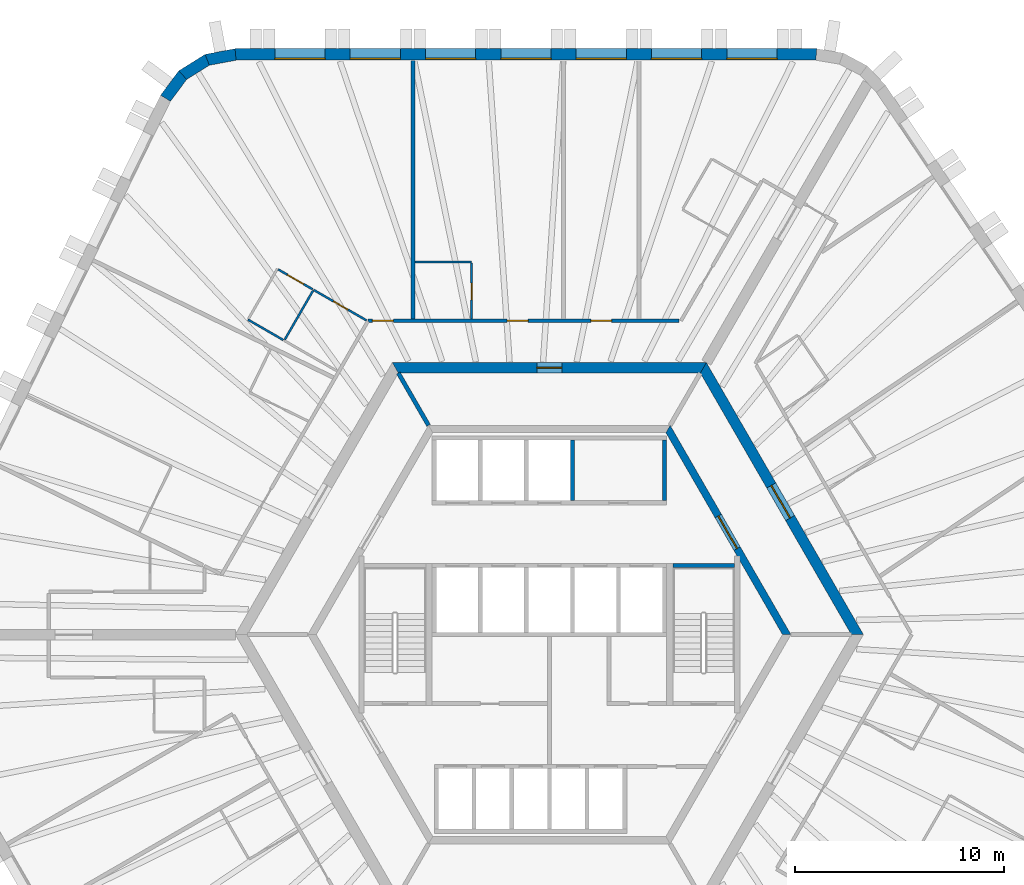
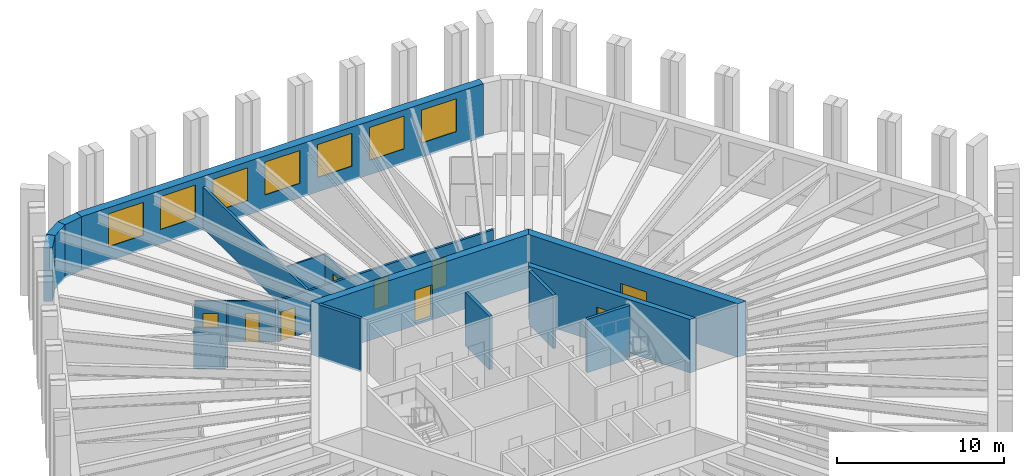
# One storey, part 8 of 11: 19 walls, 9 doors, 7 windows, 16 openings.
"""IFC4 building model written with IfcOpenShell, lengths in metres."""

from ifc_helpers import new_model, si_unit, direction, frame, frame_2d, origin, place, context, subcontext, project, spatial, polyline, rectangle, outline, extrude, material, layer, layer_set, type_object, element, fill, save


model = new_model("IFC4")

# Units and contexts
model_context = context("Model", 3, precision=1e-05, world=origin(), true_north=direction((0.0, 1.0)))
body_context = subcontext(model_context, "Body", "Model", "MODEL_VIEW")
ifc_project = project(units=[si_unit("LENGTHUNIT", "METRE"), si_unit("AREAUNIT", "SQUARE_METRE"), si_unit("VOLUMEUNIT", "CUBIC_METRE"), si_unit("PLANEANGLEUNIT", "RADIAN"), si_unit("MASSUNIT", "GRAM", prefix="KILO")], contexts=[model_context])

# Site, building, storey
site_placement = place(None, origin())
site = spatial("IfcSite", under=ifc_project, at=site_placement, CompositionType="ELEMENT")
building_placement = place(site_placement, origin())
building = spatial("IfcBuilding", under=site, at=building_placement, Name="Tarnside Tower", CompositionType="ELEMENT")
storey_placement = place(building_placement, frame((0.0, 0.0, 207.300048828125)))
storey = spatial("IfcBuildingStorey", under=building, at=storey_placement, Name="L49", CompositionType="ELEMENT", Elevation=207.300048828125)

# Wall
ifc_material_1 = material(Name="Gypsum board partition on steel studs", Category="steel")
ifc_layer_1 = layer(ifc_material_1, 0.10009765625)
ifc_layer_set_1 = layer_set([ifc_layer_1], Name="Bathroom wall 100")
wall_type_1 = type_object("IfcWallType", Name="Bathroom wall 100", PredefinedType="PARTITIONING", material=ifc_layer_set_1)
wall_1_placement = place(storey_placement, frame((-6.427978515625, 17.800048828125, 0.0), z_axis=(0.0, 0.0, 1.0), x_axis=(1.0, 0.0, 0.0)))
element("IfcWall", 1, at=wall_1_placement, inside=storey, type_object=wall_type_1, Name="Bathroom wall 16056", PredefinedType="PARTITIONING", context=body_context, shape_type="SweptSolid", body=[
    extrude(rectangle(XDim=2.710205078125, YDim=0.10009765625, at=frame_2d((1.35498046875, 0.0))), origin(), (0.0, 0.0, 1.0), 2.98779296875),
])

# Wall, opening, door
wall_2_placement = place(storey_placement, frame((-3.7177734375, 17.75, 0.0), z_axis=(0.0, 0.0, 1.0), x_axis=(0.0, -1.0, 0.0)))
wall_2 = element("IfcWall", 2, at=wall_2_placement, inside=storey, type_object=wall_type_1, Name="Bathroom wall 16057", PredefinedType="PARTITIONING", context=body_context, shape_type="SweptSolid", body=[
    extrude(rectangle(XDim=2.675048828125, YDim=0.10009765625, at=frame_2d((1.33740234375, 0.0))), origin(), (0.0, 0.0, 1.0), 2.98779296875),
])
opening_1_placement = place(wall_2_placement, frame((0.949951171875, 0.0, 0.0)))
opening_1 = element("IfcOpeningElement", 3, at=opening_1_placement, cuts=wall_2, Name="Opening D-B1", PredefinedType="OPENING", context=body_context, shape_type="SweptSolid", body=[
    extrude(rectangle(XDim=0.800048828125, YDim=2.10009765625, at=frame_2d((0.39990234375, 1.050048828125))), frame((0.0, 0.06005859375, 0.0), z_axis=(0.0, -1.0, 0.0), x_axis=(1.0, 0.0, 0.0)), (0.0, 0.0, 1.0), 0.1201171875),
])
ifc_material_2 = material(Name="Timber door leaf", Category="wood")
door_type_1 = type_object("IfcDoorType", Name="Bathroom door 800", OperationType="NOTDEFINED", PredefinedType="DOOR", material=ifc_material_2)
door_1_placement = place(opening_1_placement, origin())
door_1 = element("IfcDoor", 4, at=door_1_placement, inside=storey, type_object=door_type_1, Name="Bathroom door 16005", OperationType="SINGLE_SWING_LEFT", OverallHeight=2.10009765625, OverallWidth=0.800048828125, PredefinedType="DOOR", context=body_context, shape_type="SweptSolid", body=[
    extrude(rectangle(XDim=0.800048828125, YDim=2.10009765625, at=frame_2d((0.39990234375, 1.050048828125))), frame((0.0, 0.02490234375, 0.0), z_axis=(0.0, -1.0, 0.0), x_axis=(1.0, 0.0, 0.0)), (0.0, 0.0, 1.0), 0.050048828125),
])
fill(opening_1, door_1)

wall_3_placement = place(storey_placement, frame((-11.27099609375, 16.47802734375, 0.0), z_axis=(0.0, 0.0, 1.0), x_axis=(0.866046596414, -0.499963291492, 0.0)))
wall_3 = element("IfcWall", 5, at=wall_3_placement, inside=storey, type_object=wall_type_1, Name="Bathroom wall 16061", PredefinedType="PARTITIONING", context=body_context, shape_type="SweptSolid", body=[
    extrude(rectangle(XDim=2.925048828125, YDim=0.10009765625, at=frame_2d((1.46240234375, 0.0))), origin(), (0.0, 0.0, 1.0), 2.98779296875),
])
opening_2_placement = place(wall_3_placement, frame((1.10009765625, 0.0, 0.0)))
opening_2 = element("IfcOpeningElement", 6, at=opening_2_placement, cuts=wall_3, Name="Opening D-B1", PredefinedType="OPENING", context=body_context, shape_type="SweptSolid", body=[
    extrude(rectangle(XDim=0.800048828125, YDim=2.10009765625, at=frame_2d((0.39990234375, 1.050048828125))), frame((0.0, 0.06005859375, 0.0), z_axis=(0.0, -1.0, 0.0), x_axis=(1.0, 0.0, 0.0)), (0.0, 0.0, 1.0), 0.1201171875),
])
door_2_placement = place(opening_2_placement, origin())
door_2 = element("IfcDoor", 7, at=door_2_placement, inside=storey, type_object=door_type_1, Name="Bathroom door 16007", OperationType="SINGLE_SWING_LEFT", OverallHeight=2.10009765625, OverallWidth=0.800048828125, PredefinedType="DOOR", context=body_context, shape_type="SweptSolid", body=[
    extrude(rectangle(XDim=0.800048828125, YDim=2.10009765625, at=frame_2d((0.39990234375, 1.050048828125))), frame((0.0, 0.02490234375, 0.0), z_axis=(0.0, -1.0, 0.0), x_axis=(1.0, 0.0, 0.0)), (0.0, 0.0, 1.0), 0.050048828125),
])
fill(opening_2, door_2)

# Wall
wall_4_placement = place(storey_placement, frame((-11.2958984375, 16.434814453125, 0.0), z_axis=(0.0, 0.0, 1.0), x_axis=(-0.50000943426, -0.866019956843, 0.0)))
element("IfcWall", 8, at=wall_4_placement, inside=storey, type_object=wall_type_1, Name="Bathroom wall 16067", PredefinedType="PARTITIONING", context=body_context, shape_type="SweptSolid", body=[
    extrude(rectangle(XDim=2.7001953125, YDim=0.10009765625, at=frame_2d((1.35009765625, 0.0))), origin(), (0.0, 0.0, 1.0), 2.98779296875),
])

# Wall, opening, door
ifc_material_3 = material(Name="Concrete C50/60", Category="concrete")
ifc_layer_2 = layer(ifc_material_3, 0.35009765625)
ifc_layer_set_2 = layer_set([ifc_layer_2], Name="Core block wall 350 C50/60")
wall_type_2 = type_object("IfcWallType", Name="Core block wall 350 C50/60", PredefinedType="SHEAR", material=ifc_layer_set_2)
wall_5_placement = place(storey_placement, frame((11.344970703125, 0.0, -0.150146484375), z_axis=(0.0, 0.0, 1.0), x_axis=(-0.499995046907, 0.866028263435, 0.0)))
wall_5 = element("IfcWall", 9, at=wall_5_placement, inside=storey, type_object=wall_type_2, Name="L49 core block wall face 6", PredefinedType="SHEAR", context=body_context, shape_type="SweptSolid", body=[
    extrude(outline(polyline([(-0.10107421875, -0.175048828125), (11.44580078125, -0.175048828125), (11.24365234375, 0.175048828125), (0.10107421875, 0.175048828125), (-0.10107421875, -0.175048828125)])), origin(), (0.0, 0.0, 1.0), 3.900146484375),
])
opening_3_placement = place(wall_5_placement, frame((4.74365234375, 0.0, 0.14990234375)))
opening_3 = element("IfcOpeningElement", 10, at=opening_3_placement, cuts=wall_5, Name="Opening CD-LOB", PredefinedType="OPENING", context=body_context, shape_type="SweptSolid", body=[
    extrude(rectangle(XDim=1.800048828125, YDim=2.39990234375, at=frame_2d((0.89990234375, 1.199951171875))), frame((0.0, 0.18505859375, 0.0), z_axis=(0.0, -1.0, 0.0), x_axis=(1.0, 0.0, 0.0)), (0.0, 0.0, 1.0), 0.3701171875),
])
ifc_material_4 = material(Name="Steel fire door", Category="steel")
door_type_2 = type_object("IfcDoorType", Name="Lobby double door FD30S 1800x2400", OperationType="NOTDEFINED", PredefinedType="DOOR", material=ifc_material_4)
door_3_placement = place(opening_3_placement, origin())
door_3 = element("IfcDoor", 11, at=door_3_placement, inside=storey, type_object=door_type_2, Name="L49 lobby block door P2", OperationType="DOUBLE_DOOR_SINGLE_SWING", OverallHeight=2.39990234375, OverallWidth=1.800048828125, PredefinedType="DOOR", context=body_context, shape_type="SweptSolid", body=[
    extrude(rectangle(XDim=1.800048828125, YDim=2.39990234375, at=frame_2d((0.89990234375, 1.199951171875))), frame((0.0, 0.02490234375, 0.0), z_axis=(0.0, -1.0, 0.0), x_axis=(1.0, 0.0, 0.0)), (0.0, 0.0, 1.0), 0.050048828125),
])
fill(opening_3, door_3)

ifc_material_5 = material(Name="Concrete C70/85", Category="concrete")
ifc_layer_3 = layer(ifc_material_5, 0.5)
ifc_layer_set_3 = layer_set([ifc_layer_3], Name="Core wall Z2 500 C70/85")
wall_type_3 = type_object("IfcWallType", Name="Core wall Z2 500 C70/85", PredefinedType="SHEAR", material=ifc_layer_set_3)
wall_6_placement = place(storey_placement, frame((14.722412109375, 0.0, -0.150146484375), z_axis=(0.0, 0.0, 1.0), x_axis=(-0.50000571537, 0.866022103989, 0.0)))
wall_6 = element("IfcWall", 12, at=wall_6_placement, inside=storey, type_object=wall_type_3, Name="L49 core wall face 6", PredefinedType="SHEAR", context=body_context, shape_type="SweptSolid", body=[
    extrude(outline(polyline([(-0.144287109375, -0.25), (14.86669921875, -0.25), (14.578125, 0.25), (0.144287109375, 0.25), (-0.144287109375, -0.25)])), origin(), (0.0, 0.0, 1.0), 3.900146484375),
])
opening_4_placement = place(wall_6_placement, frame((6.432373046875, 0.0, 0.14990234375)))
opening_4 = element("IfcOpeningElement", 13, at=opening_4_placement, cuts=wall_6, Name="Opening CD-LOB", PredefinedType="OPENING", context=body_context, shape_type="SweptSolid", body=[
    extrude(rectangle(XDim=1.800048828125, YDim=2.39990234375, at=frame_2d((0.89990234375, 1.199951171875))), frame((0.0, 0.260009765625, 0.0), z_axis=(0.0, -1.0, 0.0), x_axis=(1.0, 0.0, 0.0)), (0.0, 0.0, 1.0), 0.52001953125),
])
door_4_placement = place(opening_4_placement, origin())
door_4 = element("IfcDoor", 14, at=door_4_placement, inside=storey, type_object=door_type_2, Name="L49 core door P2", OperationType="DOUBLE_DOOR_SINGLE_SWING", OverallHeight=2.39990234375, OverallWidth=1.800048828125, PredefinedType="DOOR", context=body_context, shape_type="SweptSolid", body=[
    extrude(rectangle(XDim=1.800048828125, YDim=2.39990234375, at=frame_2d((0.89990234375, 1.199951171875))), frame((0.0, 0.02490234375, 0.0), z_axis=(0.0, -1.0, 0.0), x_axis=(1.0, 0.0, 0.0)), (0.0, 0.0, 1.0), 0.050048828125),
])
fill(opening_4, door_4)

wall_7_placement = place(storey_placement, frame((7.361083984375, 12.75, -0.150146484375), z_axis=(0.0, 0.0, 1.0), x_axis=(-1.0, 0.0, 0.0)))
wall_7 = element("IfcWall", 15, at=wall_7_placement, inside=storey, type_object=wall_type_3, Name="L49 core wall face 1", PredefinedType="SHEAR", context=body_context, shape_type="SweptSolid", body=[
    extrude(outline(polyline([(-0.144287109375, -0.25), (14.866455078125, -0.25), (14.577880859375, 0.25), (0.144287109375, 0.25), (-0.144287109375, -0.25)])), origin(), (0.0, 0.0, 1.0), 3.900146484375),
])
opening_5_placement = place(wall_7_placement, frame((6.76123046875, 0.0, 0.14990234375)))
opening_5 = element("IfcOpeningElement", 16, at=opening_5_placement, cuts=wall_7, Name="Opening CD-RSR", PredefinedType="OPENING", context=body_context, shape_type="SweptSolid", body=[
    extrude(rectangle(XDim=1.199951171875, YDim=2.39990234375, at=frame_2d((0.60009765625, 1.199951171875))), frame((0.0, 0.260009765625, 0.0), z_axis=(0.0, -1.0, 0.0), x_axis=(1.0, 0.0, 0.0)), (0.0, 0.0, 1.0), 0.52001953125),
])
door_type_3 = type_object("IfcDoorType", Name="Riser door FD60 1200x2400", OperationType="NOTDEFINED", PredefinedType="DOOR", material=ifc_material_4)
door_5_placement = place(opening_5_placement, origin())
door_5 = element("IfcDoor", 17, at=door_5_placement, inside=storey, type_object=door_type_3, Name="L49 core door S5", OperationType="SINGLE_SWING_LEFT", OverallHeight=2.39990234375, OverallWidth=1.199951171875, PredefinedType="DOOR", context=body_context, shape_type="SweptSolid", body=[
    extrude(rectangle(XDim=1.199951171875, YDim=2.39990234375, at=frame_2d((0.60009765625, 1.199951171875))), frame((0.0, 0.02490234375, 0.0), z_axis=(0.0, -1.0, 0.0), x_axis=(1.0, 0.0, 0.0)), (0.0, 0.0, 1.0), 0.050048828125),
])
fill(opening_5, door_5)

# Wall, openings, doors
ifc_layer_4 = layer(ifc_material_1, 0.14990234375)
ifc_layer_set_4 = layer_set([ifc_layer_4], Name="Corridor wall 150 EI 60")
wall_type_4 = type_object("IfcWallType", Name="Corridor wall 150 EI 60", PredefinedType="PARTITIONING", material=ifc_layer_set_4)
wall_8_placement = place(storey_placement, frame((6.20654296875, 15.0, 0.0), z_axis=(0.0, 0.0, 1.0), x_axis=(-1.0, 0.0, 0.0)))
wall_8 = element("IfcWall", 18, at=wall_8_placement, inside=storey, type_object=wall_type_4, Name="Corridor wall 16002", PredefinedType="PARTITIONING", context=body_context, shape_type="SweptSolid", body=[
    extrude(rectangle(XDim=14.86669921875, YDim=0.14990234375, at=frame_2d((7.433349609375, 0.0))), origin(), (0.0, 0.0, 1.0), 2.98779296875),
])
opening_6_placement = place(wall_8_placement, frame((3.224365234375, 0.0, 0.0)))
opening_6 = element("IfcOpeningElement", 19, at=opening_6_placement, cuts=wall_8, Name="Opening D-E1", PredefinedType="OPENING", context=body_context, shape_type="SweptSolid", body=[
    extrude(rectangle(XDim=1.0, YDim=2.10009765625, at=frame_2d((0.5, 1.050048828125))), frame((0.0, 0.0849609375, 0.0), z_axis=(0.0, -1.0, 0.0), x_axis=(1.0, 0.0, 0.0)), (0.0, 0.0, 1.0), 0.169921875),
])
opening_7_placement = place(wall_8_placement, frame((7.224365234375, 0.0, 0.0)))
opening_7 = element("IfcOpeningElement", 20, at=opening_7_placement, cuts=wall_8, Name="Opening D-E1", PredefinedType="OPENING", context=body_context, shape_type="SweptSolid", body=[
    extrude(rectangle(XDim=1.0, YDim=2.10009765625, at=frame_2d((0.5, 1.050048828125))), frame((0.0, 0.0849609375, 0.0), z_axis=(0.0, -1.0, 0.0), x_axis=(1.0, 0.0, 0.0)), (0.0, 0.0, 1.0), 0.169921875),
])
opening_8_placement = place(wall_8_placement, frame((13.666748046875, 0.0, 0.0)))
opening_8 = element("IfcOpeningElement", 21, at=opening_8_placement, cuts=wall_8, Name="Opening D-E1", PredefinedType="OPENING", context=body_context, shape_type="SweptSolid", body=[
    extrude(rectangle(XDim=1.0, YDim=2.10009765625, at=frame_2d((0.5, 1.050048828125))), frame((0.0, 0.0849609375, 0.0), z_axis=(0.0, -1.0, 0.0), x_axis=(1.0, 0.0, 0.0)), (0.0, 0.0, 1.0), 0.169921875),
])
door_type_4 = type_object("IfcDoorType", Name="Unit entrance door 1000 FD30S", OperationType="NOTDEFINED", PredefinedType="DOOR", material=ifc_material_2)
door_6_placement = place(opening_6_placement, origin())
door_6 = element("IfcDoor", 22, at=door_6_placement, inside=storey, type_object=door_type_4, Name="Unit door 16003", OperationType="SINGLE_SWING_RIGHT", OverallHeight=2.10009765625, OverallWidth=1.0, PredefinedType="DOOR", context=body_context, shape_type="SweptSolid", body=[
    extrude(rectangle(XDim=1.0, YDim=2.10009765625, at=frame_2d((0.5, 1.050048828125))), frame((0.0, 0.02490234375, 0.0), z_axis=(0.0, -1.0, 0.0), x_axis=(1.0, 0.0, 0.0)), (0.0, 0.0, 1.0), 0.050048828125),
])
fill(opening_6, door_6)
door_7_placement = place(opening_7_placement, origin())
door_7 = element("IfcDoor", 23, at=door_7_placement, inside=storey, type_object=door_type_4, Name="Unit door 16004", OperationType="SINGLE_SWING_RIGHT", OverallHeight=2.10009765625, OverallWidth=1.0, PredefinedType="DOOR", context=body_context, shape_type="SweptSolid", body=[
    extrude(rectangle(XDim=1.0, YDim=2.10009765625, at=frame_2d((0.5, 1.050048828125))), frame((0.0, 0.02490234375, 0.0), z_axis=(0.0, -1.0, 0.0), x_axis=(1.0, 0.0, 0.0)), (0.0, 0.0, 1.0), 0.050048828125),
])
fill(opening_7, door_7)
door_8_placement = place(opening_8_placement, origin())
door_8 = element("IfcDoor", 24, at=door_8_placement, inside=storey, type_object=door_type_4, Name="Unit door 16006", OperationType="SINGLE_SWING_LEFT", OverallHeight=2.10009765625, OverallWidth=1.0, PredefinedType="DOOR", context=body_context, shape_type="SweptSolid", body=[
    extrude(rectangle(XDim=1.0, YDim=2.10009765625, at=frame_2d((0.5, 1.050048828125))), frame((0.0, 0.02490234375, 0.0), z_axis=(0.0, -1.0, 0.0), x_axis=(1.0, 0.0, 0.0)), (0.0, 0.0, 1.0), 0.050048828125),
])
fill(opening_8, door_8)

# Walls
ifc_layer_5 = layer(ifc_material_1, 0.179931640625)
ifc_layer_set_5 = layer_set([ifc_layer_5], Name="Demising wall 180 EI 60")
wall_type_5 = type_object("IfcWallType", Name="Demising wall 180 EI 60", PredefinedType="PARTITIONING", material=ifc_layer_set_5)
wall_9_placement = place(storey_placement, frame((-6.517822265625, 27.449951171875, 0.0), z_axis=(0.0, 0.0, 1.0), x_axis=(0.0, -1.0, 0.0)))
element("IfcWall", 25, at=wall_9_placement, inside=storey, type_object=wall_type_5, Name="Demising wall 16058", PredefinedType="PARTITIONING", context=body_context, shape_type="SweptSolid", body=[
    extrude(rectangle(XDim=12.375, YDim=0.179931640625, at=frame_2d((6.1875, 0.0))), origin(), (0.0, 0.0, 1.0), 2.98779296875),
])
ifc_material_6 = material(Name="Concrete C40/50", Category="concrete")
ifc_layer_6 = layer(ifc_material_6, 0.199951171875)
ifc_layer_set_6 = layer_set([ifc_layer_6], Name="Lift shaft wall 200 C40/50")
wall_type_6 = type_object("IfcWallType", Name="Lift shaft wall 200 C40/50", PredefinedType="SHEAR", material=ifc_layer_set_6)
for number, where, z_axis, x_axis, name in (
    (26, (1.10009765625, 6.39990234375, -0.25), (0.0, 0.0, 1.0), (0.0, 1.0, 0.0), "L49 lift shaft partition R14"),
    (27, (5.5, 6.39990234375, -0.25), (0.0, 0.0, 1.0), (0.0, 1.0, 0.0), "L49 lift shaft partition R16"),
):
    element("IfcWall", number, at=place(storey_placement, frame(where, z_axis=z_axis, x_axis=x_axis)), inside=storey, type_object=wall_type_6, Name=name, PredefinedType="SHEAR", context=body_context, shape_type="SweptSolid", body=[
        extrude(rectangle(XDim=2.900146484375, YDim=0.199951171875, at=frame_2d((1.4501953125, 0.0))), origin(), (0.0, 0.0, 1.0), 3.89990234375),
    ])
wall_10_placement = place(storey_placement, frame((-5.7734375, 10.0, -0.150146484375), z_axis=(0.0, 0.0, 1.0), x_axis=(-0.499995765644, 0.866027848477, 0.0)))
element("IfcWall", 28, at=wall_10_placement, inside=storey, type_object=wall_type_6, Name="L49 core partition AR120", PredefinedType="SHEAR", context=body_context, shape_type="SweptSolid", body=[
    extrude(rectangle(XDim=2.88671875, YDim=0.199951171875, at=frame_2d((1.443359375, 0.0))), origin(), (0.0, 0.0, 1.0), 3.900146484375),
])
wall_11_placement = place(storey_placement, frame((5.89990234375, 3.300048828125, -0.25), z_axis=(0.0, 0.0, 1.0), x_axis=(1.0, 0.0, 0.0)))
element("IfcWall", 29, at=wall_11_placement, inside=storey, type_object=wall_type_6, Name="L49 stair 1 enclosure cap wall n", PredefinedType="SHEAR", context=body_context, shape_type="SweptSolid", body=[
    extrude(rectangle(XDim=2.9501953125, YDim=0.199951171875, at=frame_2d((1.47509765625, 0.0))), origin(), (0.0, 0.0, 1.0), 3.89990234375),
])
ifc_layer_7 = layer(ifc_material_1, 0.10009765625)
ifc_layer_set_7 = layer_set([ifc_layer_7], Name="Partition 100")
wall_type_7 = type_object("IfcWallType", Name="Partition 100", PredefinedType="PARTITIONING", material=ifc_layer_set_7)
wall_12_placement = place(storey_placement, frame((-12.71435546875, 14.078125, 0.0), z_axis=(0.0, 0.0, 1.0), x_axis=(-0.866000020948, 0.500043961785, 0.0)))
element("IfcWall", 30, at=wall_12_placement, inside=storey, type_object=wall_type_7, Name="Partition wall 16062", PredefinedType="PARTITIONING", context=body_context, shape_type="SweptSolid", body=[
    extrude(rectangle(XDim=1.949951171875, YDim=0.10009765625, at=frame_2d((0.97509765625, 0.0))), origin(), (0.0, 0.0, 1.0), 2.98779296875),
])

# Wall, opening, door
wall_13_placement = place(storey_placement, frame((-12.959716796875, 17.453125, 0.0), z_axis=(0.0, 0.0, 1.0), x_axis=(0.866044365799, -0.499967155389, 0.0)))
wall_13 = element("IfcWall", 31, at=wall_13_placement, inside=storey, type_object=wall_type_7, Name="Partition wall 16064", PredefinedType="PARTITIONING", context=body_context, shape_type="SweptSolid", body=[
    extrude(rectangle(XDim=1.900146484375, YDim=0.10009765625, at=frame_2d((0.9501953125, 0.0))), origin(), (0.0, 0.0, 1.0), 2.98779296875),
])
opening_9_placement = place(wall_13_placement, frame((0.5, 0.0, 0.0)))
opening_9 = element("IfcOpeningElement", 32, at=opening_9_placement, cuts=wall_13, Name="Opening D-I1", PredefinedType="OPENING", context=body_context, shape_type="SweptSolid", body=[
    extrude(rectangle(XDim=0.89990234375, YDim=2.10009765625, at=frame_2d((0.449951171875, 1.050048828125))), frame((0.0, 0.06005859375, 0.0), z_axis=(0.0, -1.0, 0.0), x_axis=(1.0, 0.0, 0.0)), (0.0, 0.0, 1.0), 0.1201171875),
])
door_type_5 = type_object("IfcDoorType", Name="Internal door 900", OperationType="NOTDEFINED", PredefinedType="DOOR", material=ifc_material_2)
door_9_placement = place(opening_9_placement, origin())
door_9 = element("IfcDoor", 33, at=door_9_placement, inside=storey, type_object=door_type_5, Name="Internal door 16008", OperationType="SINGLE_SWING_LEFT", OverallHeight=2.10009765625, OverallWidth=0.89990234375, PredefinedType="DOOR", context=body_context, shape_type="SweptSolid", body=[
    extrude(rectangle(XDim=0.89990234375, YDim=2.10009765625, at=frame_2d((0.449951171875, 1.050048828125))), frame((0.0, 0.02490234375, 0.0), z_axis=(0.0, -1.0, 0.0), x_axis=(1.0, 0.0, 0.0)), (0.0, 0.0, 1.0), 0.050048828125),
])
fill(opening_9, door_9)

# Wall, openings, windows
ifc_material_7 = material(Name="Facing brick", Category="masonry")
ifc_layer_8 = layer(ifc_material_7, 0.10205078125)
ifc_material_8 = material(Name="Concrete C60/75 precast", Category="concrete")
ifc_layer_9 = layer(ifc_material_8, 0.347900390625)
ifc_material_9 = material(Name="Mineral wool insulation")
ifc_layer_10 = layer(ifc_material_9, 0.10009765625)
ifc_layer_set_8 = layer_set([ifc_layer_8, ifc_layer_9, ifc_layer_10], Name="Tube wall 550 brick faced")
wall_type_8 = type_object("IfcWallType", Name="Tube wall 550 brick faced", PredefinedType="SOLIDWALL", material=ifc_layer_set_8)
wall_14_placement = place(storey_placement, frame((12.760986328125, 27.72509765625, -0.150146484375), z_axis=(0.0, 0.0, 1.0), x_axis=(-1.0, 0.0, 0.0)))
wall_14 = element("IfcWall", 34, at=wall_14_placement, inside=storey, type_object=wall_type_8, Name="Tube wall L49 F1 flush 00", PredefinedType="SOLIDWALL", context=body_context, shape_type="SweptSolid", body=[
    extrude(outline(polyline([(-0.0224609375, -0.27490234375), (27.783447265625, -0.27490234375), (27.732177734375, 0.27490234375), (0.0224609375, 0.27490234375), (-0.0224609375, -0.27490234375)])), origin(), (0.0, 0.0, 1.0), 3.900146484375),
])
opening_10_placement = place(wall_14_placement, frame((1.87890625, 0.0, 1.050048828125)))
opening_10 = element("IfcOpeningElement", 35, at=opening_10_placement, cuts=wall_14, Name="Opening WH", PredefinedType="OPENING", context=body_context, shape_type="SweptSolid", body=[
    extrude(rectangle(XDim=2.39990234375, YDim=2.39990234375, at=frame_2d((1.199951171875, 1.199951171875))), frame((0.0, 0.28515625, 0.0), z_axis=(0.0, -1.0, 0.0), x_axis=(1.0, 0.0, 0.0)), (0.0, 0.0, 1.0), 0.570068359375),
])
opening_11_placement = place(wall_14_placement, frame((5.47900390625, 0.0, 1.050048828125)))
opening_11 = element("IfcOpeningElement", 36, at=opening_11_placement, cuts=wall_14, Name="Opening WH", PredefinedType="OPENING", context=body_context, shape_type="SweptSolid", body=[
    extrude(rectangle(XDim=2.39990234375, YDim=2.39990234375, at=frame_2d((1.199951171875, 1.199951171875))), frame((0.0, 0.28515625, 0.0), z_axis=(0.0, -1.0, 0.0), x_axis=(1.0, 0.0, 0.0)), (0.0, 0.0, 1.0), 0.570068359375),
])
opening_12_placement = place(wall_14_placement, frame((9.078857421875, 0.0, 1.050048828125)))
opening_12 = element("IfcOpeningElement", 37, at=opening_12_placement, cuts=wall_14, Name="Opening WH", PredefinedType="OPENING", context=body_context, shape_type="SweptSolid", body=[
    extrude(rectangle(XDim=2.39990234375, YDim=2.39990234375, at=frame_2d((1.199951171875, 1.199951171875))), frame((0.0, 0.28515625, 0.0), z_axis=(0.0, -1.0, 0.0), x_axis=(1.0, 0.0, 0.0)), (0.0, 0.0, 1.0), 0.570068359375),
])
opening_13_placement = place(wall_14_placement, frame((12.678955078125, 0.0, 1.050048828125)))
opening_13 = element("IfcOpeningElement", 38, at=opening_13_placement, cuts=wall_14, Name="Opening WH", PredefinedType="OPENING", context=body_context, shape_type="SweptSolid", body=[
    extrude(rectangle(XDim=2.39990234375, YDim=2.39990234375, at=frame_2d((1.199951171875, 1.199951171875))), frame((0.0, 0.28515625, 0.0), z_axis=(0.0, -1.0, 0.0), x_axis=(1.0, 0.0, 0.0)), (0.0, 0.0, 1.0), 0.570068359375),
])
opening_14_placement = place(wall_14_placement, frame((16.27880859375, 0.0, 1.050048828125)))
opening_14 = element("IfcOpeningElement", 39, at=opening_14_placement, cuts=wall_14, Name="Opening WH", PredefinedType="OPENING", context=body_context, shape_type="SweptSolid", body=[
    extrude(rectangle(XDim=2.39990234375, YDim=2.39990234375, at=frame_2d((1.199951171875, 1.199951171875))), frame((0.0, 0.28515625, 0.0), z_axis=(0.0, -1.0, 0.0), x_axis=(1.0, 0.0, 0.0)), (0.0, 0.0, 1.0), 0.570068359375),
])
opening_15_placement = place(wall_14_placement, frame((19.87890625, 0.0, 1.050048828125)))
opening_15 = element("IfcOpeningElement", 40, at=opening_15_placement, cuts=wall_14, Name="Opening WH", PredefinedType="OPENING", context=body_context, shape_type="SweptSolid", body=[
    extrude(rectangle(XDim=2.39990234375, YDim=2.39990234375, at=frame_2d((1.199951171875, 1.199951171875))), frame((0.0, 0.28515625, 0.0), z_axis=(0.0, -1.0, 0.0), x_axis=(1.0, 0.0, 0.0)), (0.0, 0.0, 1.0), 0.570068359375),
])
opening_16_placement = place(wall_14_placement, frame((23.47900390625, 0.0, 1.050048828125)))
opening_16 = element("IfcOpeningElement", 41, at=opening_16_placement, cuts=wall_14, Name="Opening WH", PredefinedType="OPENING", context=body_context, shape_type="SweptSolid", body=[
    extrude(rectangle(XDim=2.39990234375, YDim=2.39990234375, at=frame_2d((1.199951171875, 1.199951171875))), frame((0.0, 0.28515625, 0.0), z_axis=(0.0, -1.0, 0.0), x_axis=(1.0, 0.0, 0.0)), (0.0, 0.0, 1.0), 0.570068359375),
])
ifc_material_10 = material(Name="Aluminium-framed double glazing", Category="aluminium")
window_type = type_object("IfcWindowType", Name="Hotel window 2400 x 2400", PartitioningType="DOUBLE_PANEL_VERTICAL", PredefinedType="WINDOW", material=ifc_material_10)
window_1_placement = place(opening_10_placement, frame((0.0, 0.205078125, 0.0)))
window_1 = element("IfcWindow", 42, at=window_1_placement, inside=storey, type_object=window_type, Name="E.WN.L49.F1.00", OverallHeight=2.39990234375, OverallWidth=2.39990234375, PartitioningType="DOUBLE_PANEL_VERTICAL", PredefinedType="WINDOW", context=body_context, shape_type="SweptSolid", body=[
    extrude(rectangle(XDim=2.39990234375, YDim=2.39990234375, at=frame_2d((1.199951171875, 1.199951171875))), frame((0.0, 0.030029296875, 0.0), z_axis=(0.0, -1.0, 0.0), x_axis=(1.0, 0.0, 0.0)), (0.0, 0.0, 1.0), 0.06005859375),
])
fill(opening_10, window_1)
window_2_placement = place(opening_11_placement, frame((0.0, 0.205078125, 0.0)))
window_2 = element("IfcWindow", 43, at=window_2_placement, inside=storey, type_object=window_type, Name="E.WN.L49.F1.01", OverallHeight=2.39990234375, OverallWidth=2.39990234375, PartitioningType="DOUBLE_PANEL_VERTICAL", PredefinedType="WINDOW", context=body_context, shape_type="SweptSolid", body=[
    extrude(rectangle(XDim=2.39990234375, YDim=2.39990234375, at=frame_2d((1.199951171875, 1.199951171875))), frame((0.0, 0.030029296875, 0.0), z_axis=(0.0, -1.0, 0.0), x_axis=(1.0, 0.0, 0.0)), (0.0, 0.0, 1.0), 0.06005859375),
])
fill(opening_11, window_2)
window_3_placement = place(opening_12_placement, frame((0.0, 0.205078125, 0.0)))
window_3 = element("IfcWindow", 44, at=window_3_placement, inside=storey, type_object=window_type, Name="E.WN.L49.F1.02", OverallHeight=2.39990234375, OverallWidth=2.39990234375, PartitioningType="DOUBLE_PANEL_VERTICAL", PredefinedType="WINDOW", context=body_context, shape_type="SweptSolid", body=[
    extrude(rectangle(XDim=2.39990234375, YDim=2.39990234375, at=frame_2d((1.199951171875, 1.199951171875))), frame((0.0, 0.030029296875, 0.0), z_axis=(0.0, -1.0, 0.0), x_axis=(1.0, 0.0, 0.0)), (0.0, 0.0, 1.0), 0.06005859375),
])
fill(opening_12, window_3)
window_4_placement = place(opening_13_placement, frame((0.0, 0.205078125, 0.0)))
window_4 = element("IfcWindow", 45, at=window_4_placement, inside=storey, type_object=window_type, Name="E.WN.L49.F1.03", OverallHeight=2.39990234375, OverallWidth=2.39990234375, PartitioningType="DOUBLE_PANEL_VERTICAL", PredefinedType="WINDOW", context=body_context, shape_type="SweptSolid", body=[
    extrude(rectangle(XDim=2.39990234375, YDim=2.39990234375, at=frame_2d((1.199951171875, 1.199951171875))), frame((0.0, 0.030029296875, 0.0), z_axis=(0.0, -1.0, 0.0), x_axis=(1.0, 0.0, 0.0)), (0.0, 0.0, 1.0), 0.06005859375),
])
fill(opening_13, window_4)
window_5_placement = place(opening_14_placement, frame((0.0, 0.205078125, 0.0)))
window_5 = element("IfcWindow", 46, at=window_5_placement, inside=storey, type_object=window_type, Name="E.WN.L49.F1.04", OverallHeight=2.39990234375, OverallWidth=2.39990234375, PartitioningType="DOUBLE_PANEL_VERTICAL", PredefinedType="WINDOW", context=body_context, shape_type="SweptSolid", body=[
    extrude(rectangle(XDim=2.39990234375, YDim=2.39990234375, at=frame_2d((1.199951171875, 1.199951171875))), frame((0.0, 0.030029296875, 0.0), z_axis=(0.0, -1.0, 0.0), x_axis=(1.0, 0.0, 0.0)), (0.0, 0.0, 1.0), 0.06005859375),
])
fill(opening_14, window_5)
window_6_placement = place(opening_15_placement, frame((0.0, 0.205078125, 0.0)))
window_6 = element("IfcWindow", 47, at=window_6_placement, inside=storey, type_object=window_type, Name="E.WN.L49.F1.05", OverallHeight=2.39990234375, OverallWidth=2.39990234375, PartitioningType="DOUBLE_PANEL_VERTICAL", PredefinedType="WINDOW", context=body_context, shape_type="SweptSolid", body=[
    extrude(rectangle(XDim=2.39990234375, YDim=2.39990234375, at=frame_2d((1.199951171875, 1.199951171875))), frame((0.0, 0.030029296875, 0.0), z_axis=(0.0, -1.0, 0.0), x_axis=(1.0, 0.0, 0.0)), (0.0, 0.0, 1.0), 0.06005859375),
])
fill(opening_15, window_6)
window_7_placement = place(opening_16_placement, frame((0.0, 0.205078125, 0.0)))
window_7 = element("IfcWindow", 48, at=window_7_placement, inside=storey, type_object=window_type, Name="E.WN.L49.F1.06", OverallHeight=2.39990234375, OverallWidth=2.39990234375, PartitioningType="DOUBLE_PANEL_VERTICAL", PredefinedType="WINDOW", context=body_context, shape_type="SweptSolid", body=[
    extrude(rectangle(XDim=2.39990234375, YDim=2.39990234375, at=frame_2d((1.199951171875, 1.199951171875))), frame((0.0, 0.030029296875, 0.0), z_axis=(0.0, -1.0, 0.0), x_axis=(1.0, 0.0, 0.0)), (0.0, 0.0, 1.0), 0.06005859375),
])
fill(opening_16, window_7)

# Walls
wall_15_placement = place(storey_placement, frame((-14.996826171875, 27.72509765625, -0.150146484375), z_axis=(0.0, 0.0, 1.0), x_axis=(-0.982705443133, -0.185175624845, 0.0)))
element("IfcWall", 49, at=wall_15_placement, inside=storey, type_object=wall_type_8, Name="Tube wall L49 F1 chord 01", PredefinedType="SOLIDWALL", context=body_context, shape_type="SweptSolid", body=[
    extrude(outline(polyline([(-0.025634765625, -0.27490234375), (1.430908203125, -0.27490234375), (1.327392578125, 0.27490234375), (0.025634765625, 0.27490234375), (-0.025634765625, -0.27490234375)])), origin(), (0.0, 0.0, 1.0), 3.900146484375),
])
wall_16_placement = place(storey_placement, frame((-16.35205078125, 27.4697265625, -0.150146484375), z_axis=(0.0, 0.0, 1.0), x_axis=(-0.848057977594, -0.5299034503, 0.0)))
element("IfcWall", 50, at=wall_16_placement, inside=storey, type_object=wall_type_8, Name="Tube wall L49 F1 chord 02", PredefinedType="SOLIDWALL", context=body_context, shape_type="SweptSolid", body=[
    extrude(outline(polyline([(-0.0517578125, -0.27490234375), (1.4306640625, -0.27490234375), (1.3271484375, 0.27490234375), (0.0517578125, 0.27490234375), (-0.0517578125, -0.27490234375)])), origin(), (0.0, 0.0, 1.0), 3.900146484375),
])
wall_17_placement = place(storey_placement, frame((-17.521484375, 26.739013671875, -0.150146484375), z_axis=(0.0, 0.0, 1.0), x_axis=(-0.597135295884, -0.802140535324, 0.0)))
element("IfcWall", 51, at=wall_17_placement, inside=storey, type_object=wall_type_8, Name="Tube wall L49 F1 chord 03", PredefinedType="SOLIDWALL", context=body_context, shape_type="SweptSolid", body=[
    extrude(outline(polyline([(-0.0517578125, -0.27490234375), (1.40478515625, -0.27490234375), (1.353515625, 0.27490234375), (0.0517578125, 0.27490234375), (-0.0517578125, -0.27490234375)])), origin(), (0.0, 0.0, 1.0), 3.900146484375),
])

save(model, "model.ifc")
